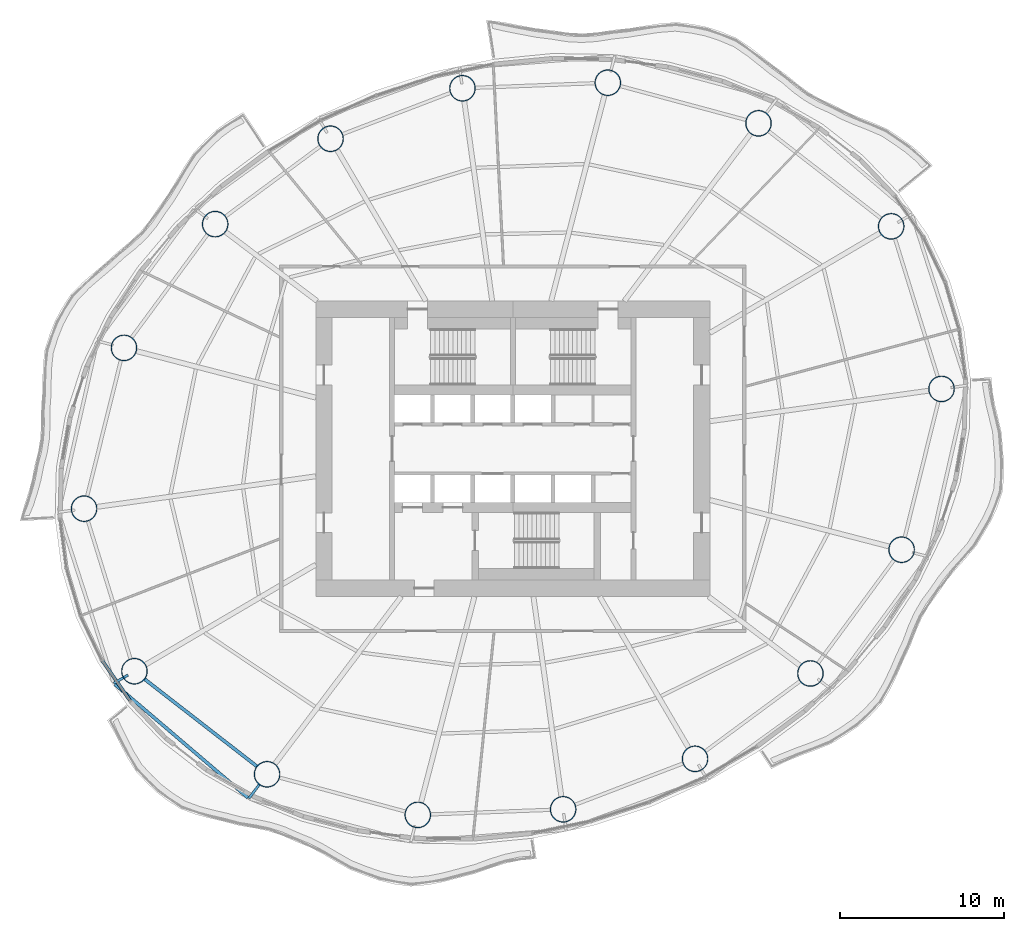
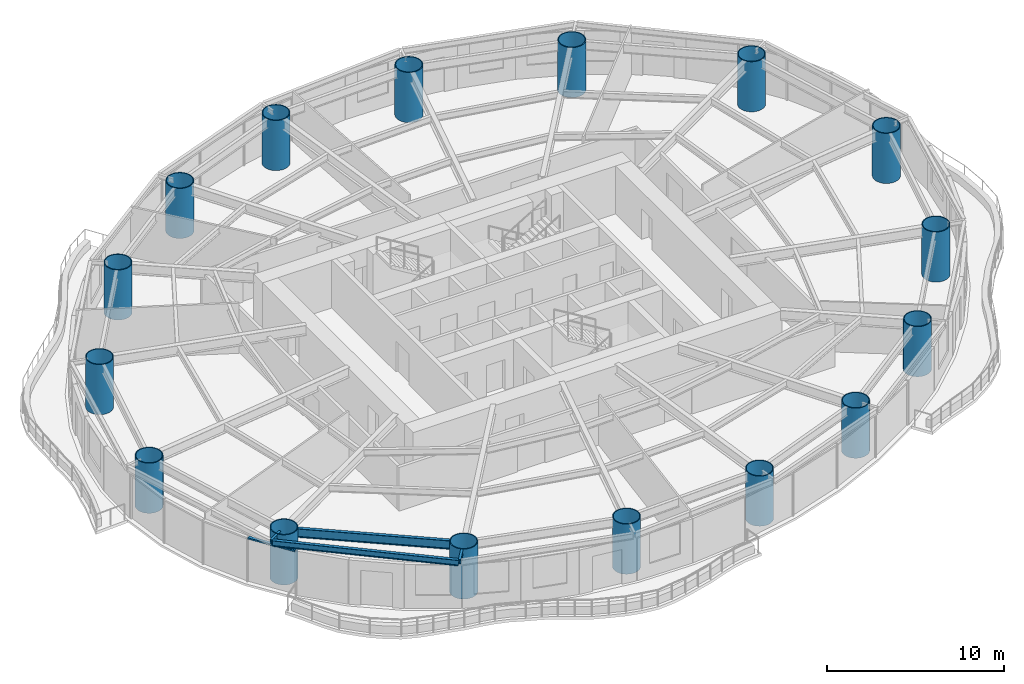
# One storey, part 1 of 14: 16 columns, 4 beams, 1 member, 1 element without a shape of its own.
"""IFC4 building model written with IfcOpenShell, lengths in metres."""

from ifc_helpers import new_model, si_unit, direction, frame, origin, origin_2d, place, context, subcontext, project, spatial, rectangle, hollow_circle, i_section, extrude, material, material_profile, profile_set, type_object, element, aggregate, save


model = new_model("IFC4")

# Units and contexts
model_context = context("Model", 3, precision=1e-05, world=origin(), true_north=direction((0.0, 1.0)))
body_context = subcontext(model_context, "Body", "Model", "MODEL_VIEW")
ifc_project = project(units=[si_unit("LENGTHUNIT", "METRE"), si_unit("AREAUNIT", "SQUARE_METRE"), si_unit("VOLUMEUNIT", "CUBIC_METRE"), si_unit("PLANEANGLEUNIT", "RADIAN"), si_unit("MASSUNIT", "GRAM", prefix="KILO")], contexts=[model_context])

# Site, building, storey
site_placement = place(None, origin())
site = spatial("IfcSite", under=ifc_project, at=site_placement, CompositionType="ELEMENT")
building_placement = place(site_placement, origin())
building = spatial("IfcBuilding", under=site, at=building_placement, Name="Vermilion Reach Broadcast Tower", CompositionType="ELEMENT")
storey_placement = place(building_placement, frame((0.0, 0.0, 117.39990234375)))
storey = spatial("IfcBuildingStorey", under=building, at=storey_placement, Name="L27", CompositionType="ELEMENT", Elevation=117.39990234375)

# Columns
ifc_material_1 = material(Name="Concrete C80 infill in steel S460NL tube", Category="concrete")
ifc_material_profile_1 = material_profile(ifc_material_1, hollow_circle(Radius=0.800048828125, WallThickness=0.054931640625, at=origin_2d()), Name="Concrete C80 infill in steel S460NL tube CFT 1600x55")
ifc_profile_set_1 = profile_set([ifc_material_profile_1], Name="Concrete C80 infill in steel S460NL tube")
column_type = type_object("IfcColumnType", Name="MC2 CFT 1600x55", PredefinedType="COLUMN", material=ifc_profile_set_1)
for number, where, z_axis, x_axis, name in (
    (1, (17.04345703125, 13.546630859375, 0.0), (0.0, 0.0, 1.0), (1.0, 0.0, 0.0), "Mega-column MC2-01"),
    (2, (8.96337890625, 19.821044921875, 0.0), (0.0, 0.0, 1.0), (1.0, 0.0, 0.0), "Mega-column MC2-02"),
    (3, (-0.21337890625, 22.29443359375, 0.0), (0.0, 0.0, 1.0), (1.0, 0.0, 0.0), "Mega-column MC2-03"),
    (4, (-9.066162109375, 21.955810546875, 0.0), (0.0, 0.0, 1.0), (1.0, 0.0, 0.0), "Mega-column MC2-04"),
    (5, (-17.099609375, 18.881103515625, 0.0), (0.0, 0.0, 1.0), (1.0, 0.0, 0.0), "Mega-column MC2-05"),
    (6, (-24.12451171875, 13.6826171875, 0.0), (0.0, 0.0, 1.0), (1.0, 0.0, 0.0), "Mega-column MC2-06"),
    (7, (-29.6787109375, 6.145751953125, 0.0), (0.0, 0.0, 1.0), (1.0, 0.0, 0.0), "Mega-column MC2-07"),
    (8, (-32.10888671875, -3.646240234375, 0.0), (0.0, 0.0, 1.0), (1.0, 0.0, 0.0), "Mega-column MC2-08"),
    (9, (-29.04345703125, -13.546630859375, 0.0), (0.0, 0.0, 1.0), (1.0, 0.0, 0.0), "Mega-column MC2-09"),
    (10, (-20.96337890625, -19.821044921875, 0.0), (0.0, 0.0, 1.0), (1.0, 0.0, 0.0), "Mega-column MC2-10"),
    (11, (-11.78662109375, -22.29443359375, 0.0), (0.0, 0.0, 1.0), (1.0, 0.0, 0.0), "Mega-column MC2-11"),
    (12, (-2.933837890625, -21.955810546875, 0.0), (0.0, 0.0, 1.0), (1.0, 0.0, 0.0), "Mega-column MC2-12"),
    (13, (5.099609375, -18.881103515625, 0.0), (0.0, 0.0, 1.0), (1.0, 0.0, 0.0), "Mega-column MC2-13"),
    (14, (12.12451171875, -13.6826171875, 0.0), (0.0, 0.0, 1.0), (1.0, 0.0, 0.0), "Mega-column MC2-14"),
    (15, (17.6787109375, -6.145751953125, 0.0), (0.0, 0.0, 1.0), (1.0, 0.0, 0.0), "Mega-column MC2-15"),
    (16, (20.10888671875, 3.646240234375, 0.0), (0.0, 0.0, 1.0), (1.0, 0.0, 0.0), "Mega-column MC2-16"),
):
    element("IfcColumn", number, at=place(storey_placement, frame(where, z_axis=z_axis, x_axis=x_axis)), inside=storey, type_object=column_type, Name=name, PredefinedType="COLUMN", context=body_context, shape_type="SweptSolid", body=[
        extrude(hollow_circle(Radius=0.800048828125, WallThickness=0.054931640625, at=origin_2d()), origin(), (0.0, 0.0, 1.0), 3.4501953125),
    ])

# Beams
ifc_material_2 = material(Name="Steel S355J2", Category="steel")
ifc_material_profile_2 = material_profile(ifc_material_2, i_section(OverallWidth=0.199951171875, OverallDepth=0.39990234375, WebThickness=0.008056640625, FlangeThickness=0.012939453125, at=origin_2d()), Name="S355J2 HN 400x200x8x13")
ifc_profile_set_2 = profile_set([ifc_material_profile_2], Name="Steel S355J2")
beam_type_1 = type_object("IfcBeamType", Name="EB2 HN 400x200x8x13", PredefinedType="BEAM", material=ifc_profile_set_2)
beam_1_placement = place(storey_placement, frame((-30.23828125, -14.3359375, 3.25), z_axis=(0.761148090509, -0.648578125066, 0.0), x_axis=(0.648578125066, 0.761148090509, 0.0)))
element("IfcBeam", 17, at=beam_1_placement, inside=storey, type_object=beam_type_1, Name="Edge beam EB2-09", PredefinedType="BEAM", context=body_context, shape_type="SweptSolid", body=[
    extrude(i_section(OverallWidth=0.199951171875, OverallDepth=0.39990234375, WebThickness=0.008056640625, FlangeThickness=0.012939453125, at=origin_2d()), origin(), (0.0, 0.0, 1.0), 10.65087890625),
])
ifc_material_3 = material(Name="Steel S355J2", Category="steel")
ifc_material_profile_3 = material_profile(ifc_material_3, i_section(OverallWidth=0.14990234375, OverallDepth=0.300048828125, WebThickness=0.006591796875, FlangeThickness=0.009033203125, at=origin_2d()), Name="S355J2 HN 300x150x6.5x9")
ifc_profile_set_3 = profile_set([ifc_material_profile_3], Name="Steel S355J2")
beam_type_2 = type_object("IfcBeamType", Name="GS2 HN 300x150x6.5x9", PredefinedType="BEAM", material=ifc_profile_set_3)
beam_2_placement = place(storey_placement, frame((-29.4365234375, -13.777587890625, 3.300048828125), z_axis=(-0.862047161964, -0.506828068037, 0.0), x_axis=(0.506828068037, -0.862047161964, 0.0)))
element("IfcBeam", 18, at=beam_2_placement, inside=storey, type_object=beam_type_2, Name="Cantilever stub GS2-09", PredefinedType="BEAM", context=body_context, shape_type="SweptSolid", body=[
    extrude(i_section(OverallWidth=0.14990234375, OverallDepth=0.300048828125, WebThickness=0.006591796875, FlangeThickness=0.009033203125, at=origin_2d()), origin(), (0.0, 0.0, 1.0), 1.0),
])
beam_3_placement = place(storey_placement, frame((-21.4453125, -20.45947265625, 3.300048828125), z_axis=(-0.602541861435, -0.798087279199, 0.0), x_axis=(0.798087279199, -0.602541861435, 0.0)))
element("IfcBeam", 19, at=beam_3_placement, inside=storey, type_object=beam_type_2, Name="Cantilever stub GS2-10", PredefinedType="BEAM", context=body_context, shape_type="SweptSolid", body=[
    extrude(i_section(OverallWidth=0.14990234375, OverallDepth=0.300048828125, WebThickness=0.006591796875, FlangeThickness=0.009033203125, at=origin_2d()), origin(), (0.0, 0.0, 1.0), 1.043701171875),
])
ifc_material_4 = material(Name="Steel S355J2", Category="steel")
ifc_material_profile_4 = material_profile(ifc_material_4, i_section(OverallWidth=0.199951171875, OverallDepth=0.60009765625, WebThickness=0.010986328125, FlangeThickness=0.01708984375, at=origin_2d()), Name="S355J2 HN 600x200x11x17")
ifc_profile_set_4 = profile_set([ifc_material_profile_4], Name="Steel S355J2")
beam_type_3 = type_object("IfcBeamType", Name="RB2 HN 600x200x11x17", PredefinedType="BEAM", material=ifc_profile_set_4)
beam_4_placement = place(storey_placement, frame((-28.41162109375, -14.037109375, 3.150146484375), z_axis=(0.789825712432, -0.613331349257, 0.0), x_axis=(0.613331349257, 0.789825712432, 0.0)))
element("IfcBeam", 20, at=beam_4_placement, inside=storey, type_object=beam_type_3, Name="Ring beam RB2-09", PredefinedType="BEAM", context=body_context, shape_type="SweptSolid", body=[
    extrude(i_section(OverallWidth=0.199951171875, OverallDepth=0.60009765625, WebThickness=0.010986328125, FlangeThickness=0.01708984375, at=origin_2d()), origin(), (0.0, 0.0, 1.0), 8.63037109375),
])

# Curtain wall, member
ifc_material_5 = material(Name="Low-e laminated clear glass in aluminium frame", Category="aluminium")
curtain_wall_type = type_object("IfcCurtainWallType", Name="Slot curtain wall", PredefinedType="NOTDEFINED", material=ifc_material_5)
curtain_wall_placement = place(storey_placement, origin())
curtain_wall = element("IfcCurtainWall", 21, at=curtain_wall_placement, inside=storey, type_object=curtain_wall_type, Name="Slot curtain wall L27 25", PredefinedType="NOTDEFINED")
ifc_material_6 = material(Name="Anodised aluminium", Category="aluminium")
ifc_material_profile_5 = material_profile(ifc_material_6, rectangle(XDim=0.199951171875, YDim=0.10009765625, at=origin_2d()), Name="Slot transom 200 x 100")
ifc_profile_set_5 = profile_set([ifc_material_profile_5], Name="Anodised aluminium")
member_type = type_object("IfcMemberType", Name="Slot transom 200 x 100", PredefinedType="USERDEFINED", material=ifc_profile_set_5)
member_placement = place(storey_placement, frame((-30.9912109375, -12.91357421875, 3.0), z_axis=(0.570183877166, -0.821517100382, 0.0), x_axis=(0.821517100382, 0.570183877166, 0.0)))
member = element("IfcMember", 22, at=member_placement, type_object=member_type, Name="Slot transom L27 25.1", ObjectType="TRANSOM", PredefinedType="USERDEFINED", context=body_context, shape_type="SweptSolid", body=[
    extrude(rectangle(XDim=0.199951171875, YDim=0.10009765625, at=origin_2d()), origin(), (0.0, 0.0, 1.0), 2.957763671875),
])
aggregate(curtain_wall, [member])

save(model, "model.ifc")
